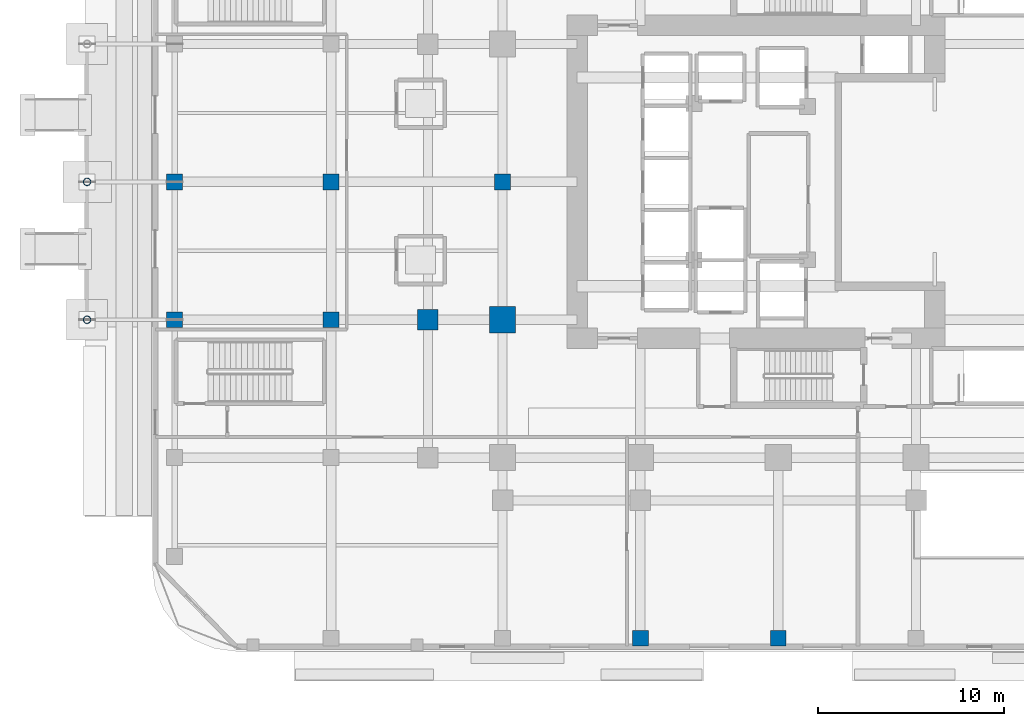
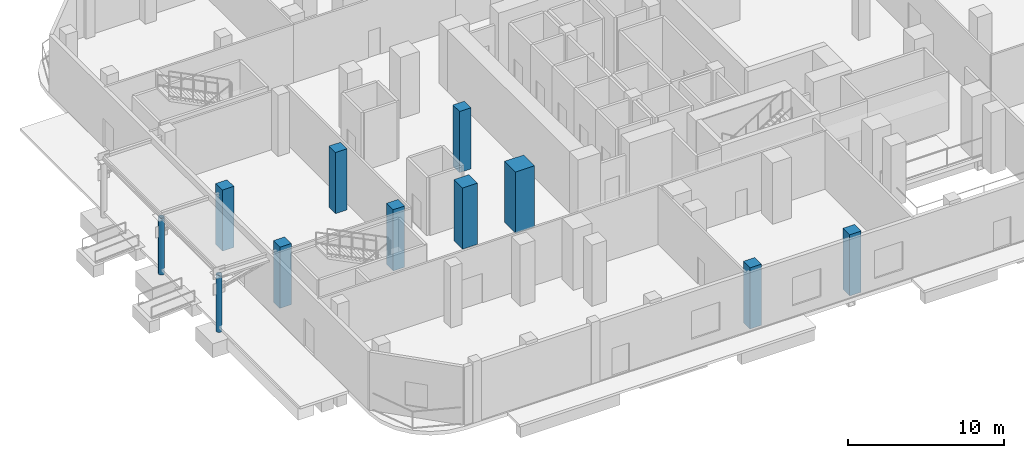
# One storey, part 2 of 24: 11 columns.
"""IFC4 building model written with IfcOpenShell, lengths in metres."""

from ifc_helpers import new_model, si_unit, direction, frame, origin, origin_2d, place, context, subcontext, project, spatial, rectangle, hollow_circle, extrude, material, material_profile, profile_set, type_object, element, save


model = new_model("IFC4")

# Units and contexts
model_context = context("Model", 3, precision=1e-05, world=origin(), true_north=direction((0.0, 1.0)))
body_context = subcontext(model_context, "Body", "Model", "MODEL_VIEW")
ifc_project = project(units=[si_unit("LENGTHUNIT", "METRE"), si_unit("AREAUNIT", "SQUARE_METRE"), si_unit("VOLUMEUNIT", "CUBIC_METRE"), si_unit("PLANEANGLEUNIT", "RADIAN"), si_unit("MASSUNIT", "GRAM", prefix="KILO")], contexts=[model_context])

# Site, building, storey
site_placement = place(None, origin())
site = spatial("IfcSite", under=ifc_project, at=site_placement, CompositionType="ELEMENT")
building_placement = place(site_placement, origin())
building = spatial("IfcBuilding", under=site, at=building_placement, Name="Khorvyn Point Tower", CompositionType="ELEMENT")
storey_placement = place(building_placement, origin())
storey = spatial("IfcBuildingStorey", under=building, at=storey_placement, Name="L01", CompositionType="ELEMENT", Elevation=0.0)

# Columns
ifc_material_1 = material(Name="Concrete C40/50", Category="concrete")
ifc_material_profile_1 = material_profile(ifc_material_1, rectangle(XDim=0.85009765625, YDim=0.85009765625, at=origin_2d()))
ifc_profile_set_1 = profile_set([ifc_material_profile_1], Name="Concrete C40/50 RC850x850")
column_type_1 = type_object("IfcColumnType", Name="Concrete C40/50 Column RC850x850", PredefinedType="COLUMN", material=ifc_profile_set_1)
for number, where, z_axis, x_axis, name in (
    (1, (-32.39990234375, -7.39990234375, 0.0), (0.0, 0.0, 1.0), (1.0, 0.0, 0.0), "PC-L01--324--074"),
    (2, (-32.39990234375, 0.0, 0.0), (0.0, 0.0, 1.0), (1.0, 0.0, 0.0), "PC-L01--324-+000"),
    (3, (-24.0, -7.39990234375, 0.0), (0.0, 0.0, 1.0), (1.0, 0.0, 0.0), "PC-L01--240--074"),
    (4, (-24.0, 0.0, 0.0), (0.0, 0.0, 1.0), (1.0, 0.0, 0.0), "PC-L01--240-+000"),
    (5, (-14.800048828125, 0.0, 0.0), (0.0, 0.0, 1.0), (1.0, 0.0, 0.0), "PC-L01--148-+000"),
    (6, (-7.39990234375, -24.5, 0.0), (0.0, 0.0, 1.0), (1.0, 0.0, 0.0), "PC-L01--074--245"),
    (7, (0.0, -24.5, 0.0), (0.0, 0.0, 1.0), (1.0, 0.0, 0.0), "PC-L01-+000--245"),
):
    element("IfcColumn", number, at=place(storey_placement, frame(where, z_axis=z_axis, x_axis=x_axis)), inside=storey, type_object=column_type_1, Name=name, PredefinedType="COLUMN", context=body_context, shape_type="SweptSolid", body=[
        extrude(rectangle(XDim=0.85009765625, YDim=0.85009765625, at=origin_2d()), origin(), (0.0, 0.0, 1.0), 4.800048828125),
    ])
ifc_material_2 = material(Name="Concrete C45/55", Category="concrete")
ifc_material_profile_2 = material_profile(ifc_material_2, rectangle(XDim=1.10009765625, YDim=1.10009765625, at=origin_2d()))
ifc_profile_set_2 = profile_set([ifc_material_profile_2], Name="Concrete C45/55 RC1100x1100")
column_type_2 = type_object("IfcColumnType", Name="Concrete C45/55 Column RC1100x1100", PredefinedType="COLUMN", material=ifc_profile_set_2)
column_1_placement = place(storey_placement, frame((-18.800048828125, -7.39990234375, 0.0), z_axis=(0.0, 0.0, 1.0), x_axis=(1.0, 0.0, 0.0)))
element("IfcColumn", 8, at=column_1_placement, inside=storey, type_object=column_type_2, Name="L01 Intermediate Column ICW--7", PredefinedType="COLUMN", context=body_context, shape_type="SweptSolid", body=[
    extrude(rectangle(XDim=1.10009765625, YDim=1.10009765625, at=origin_2d()), origin(), (0.0, 0.0, 1.0), 4.800048828125),
])
ifc_material_3 = material(Name="Concrete C50/60", Category="concrete")
ifc_material_profile_3 = material_profile(ifc_material_3, rectangle(XDim=1.39990234375, YDim=1.39990234375, at=origin_2d()))
ifc_profile_set_3 = profile_set([ifc_material_profile_3], Name="Concrete C50/60 RC1400x1400")
column_type_3 = type_object("IfcColumnType", Name="Concrete C50/60 Column RC1400x1400", PredefinedType="COLUMN", material=ifc_profile_set_3)
column_2_placement = place(storey_placement, frame((-14.800048828125, -7.39990234375, 0.0), z_axis=(0.0, 0.0, 1.0), x_axis=(1.0, 0.0, 0.0)))
element("IfcColumn", 9, at=column_2_placement, inside=storey, type_object=column_type_3, Name="L01 Mega-Column MC-11", PredefinedType="COLUMN", context=body_context, shape_type="SweptSolid", body=[
    extrude(rectangle(XDim=1.39990234375, YDim=1.39990234375, at=origin_2d()), origin(), (0.0, 0.0, 1.0), 4.800048828125),
])
ifc_material_4 = material(Name="Steel S355", Category="steel")
ifc_material_profile_4 = material_profile(ifc_material_4, hollow_circle(Radius=0.203125, WallThickness=0.01611328125, at=origin_2d()))
ifc_profile_set_4 = profile_set([ifc_material_profile_4], Name="Steel S355 CHS406.4x16")
column_type_4 = type_object("IfcColumnType", Name="Steel S355 Structural Column CHS406.4x16", PredefinedType="COLUMN", material=ifc_profile_set_4)
for number, where, z_axis, x_axis, name in (
    (10, (-37.10009765625, -7.39990234375, -0.5), (0.0, 0.0, 1.0), (1.0, 0.0, 0.0), "L01 Monsoon Canopy Column CN-W1"),
    (11, (-37.10009765625, 0.0, -0.5), (0.0, 0.0, 1.0), (1.0, 0.0, 0.0), "L01 Monsoon Canopy Column CN-W2"),
):
    element("IfcColumn", number, at=place(storey_placement, frame(where, z_axis=z_axis, x_axis=x_axis)), inside=storey, type_object=column_type_4, Name=name, PredefinedType="COLUMN", context=body_context, shape_type="SweptSolid", body=[
        extrude(hollow_circle(Radius=0.203125, WallThickness=0.01611328125, at=origin_2d()), origin(), (0.0, 0.0, 1.0), 4.4599609375),
    ])

save(model, "model.ifc")
